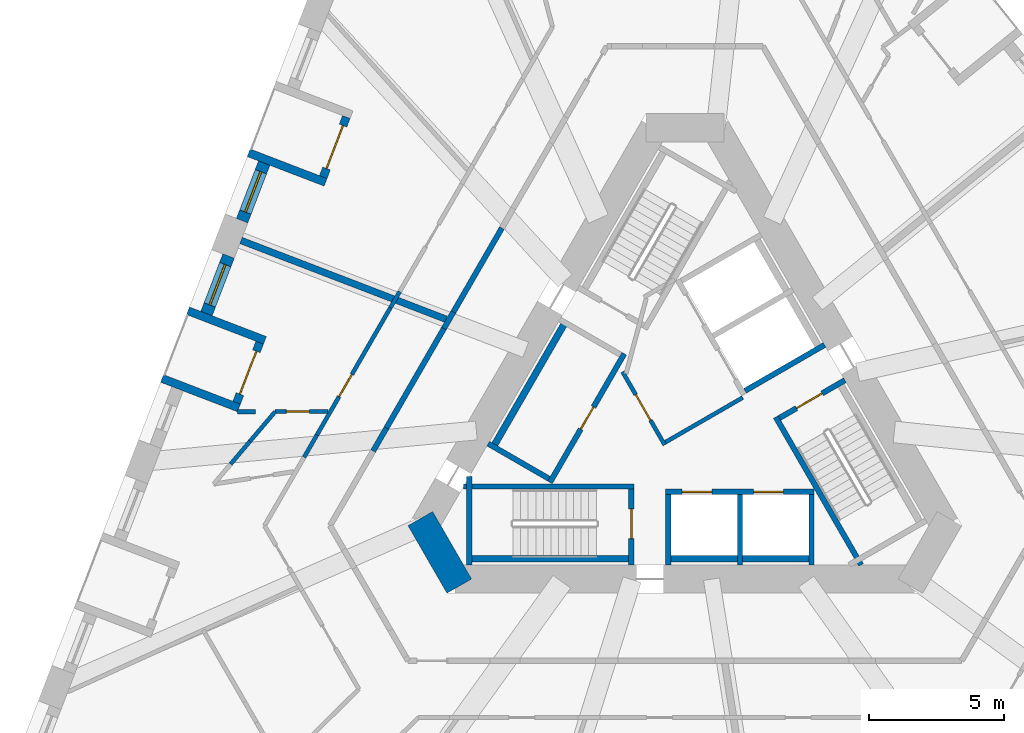
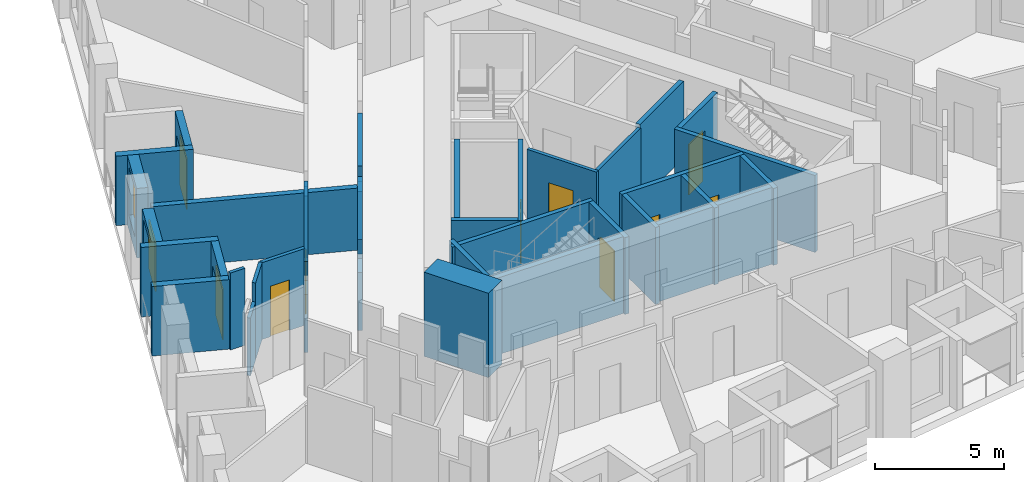
# One storey, part 4 of 13: 37 walls, 10 doors, 2 windows, 12 openings.
"""IFC4 building model written with IfcOpenShell, lengths in metres."""

import ifcopenshell
import ifcopenshell.guid

model = None  # the IFC model being written
_history = None  # IfcOwnerHistory: only IFC2X3 demands one
_inside = {}  # id of a spatial element -> (the spatial element, [elements in it])
_under = {}  # id of a project, library or spatial element -> (it, [spatial elements below it])
_declared = {}  # id of a project -> (the project, [libraries it declares])
_typed = {}  # id of a type object -> (the type object, [elements of that type])
_made_of = {}  # id of a material, layer set ... -> (it, [elements and type objects made of it])


def new_model(schema):
    """Start an empty IFC model of exactly this schema.

    Asked for "IFC4X3", IfcOpenShell would pick the latest addendum, in which some entities
    have other attributes; the version numbers below select the first issue.
    IFC2X3 requires an IfcOwnerHistory on every rooted entity: one is made here for all.
    """
    global model, _history
    if schema == "IFC4X3":
        model = ifcopenshell.file(schema_version=(4, 3, 0, 0))
    else:
        model = ifcopenshell.file(schema=schema)
    _inside.clear()
    _under.clear()
    _declared.clear()
    _typed.clear()
    _made_of.clear()
    _history = None
    if model.schema == "IFC2X3":
        org = make("IfcOrganization", Name="unknown")
        user = make(
            "IfcPersonAndOrganization",
            ThePerson=make("IfcPerson", FamilyName="unknown"),
            TheOrganization=org,
        )
        app = make(
            "IfcApplication",
            ApplicationDeveloper=org,
            Version="unknown",
            ApplicationFullName="unknown",
            ApplicationIdentifier="unknown",
        )
        _history = make(
            "IfcOwnerHistory",
            OwningUser=user,
            OwningApplication=app,
            ChangeAction="ADDED",
            CreationDate=0,
        )
    return model


def make(cls, **values):
    """One entity of the class cls with the attributes given. An attribute that is None is left unset."""
    return model.create_entity(
        cls, **{name: value for name, value in values.items() if value is not None}
    )


def rooted(cls, **values):
    """An entity with a GlobalId (a new one), such as an element, a storey or a relation."""
    return make(cls, GlobalId=ifcopenshell.guid.new(), OwnerHistory=_history, **values)


def si_unit(unit_type, name, prefix=None):
    """IfcSIUnit, for example si_unit("LENGTHUNIT", "METRE", prefix="MILLI")."""
    return make("IfcSIUnit", UnitType=unit_type, Prefix=prefix, Name=name)


def assignment(units):
    """IfcUnitAssignment: the units of a project."""
    return None if units is None else make("IfcUnitAssignment", Units=units)


def point(xyz):
    """IfcCartesianPoint."""
    return None if xyz is None else make("IfcCartesianPoint", Coordinates=xyz)


def direction(xyz):
    """IfcDirection."""
    return None if xyz is None else make("IfcDirection", DirectionRatios=xyz)


def frame(location, z_axis=None, x_axis=None):
    """IfcAxis2Placement3D, a coordinate frame: its origin and axes. An axis left out is left unset."""
    return make(
        "IfcAxis2Placement3D",
        Location=point(location),
        Axis=direction(z_axis),
        RefDirection=direction(x_axis),
    )


def frame_2d(location, x_axis=None):
    """IfcAxis2Placement2D, a coordinate frame in the plane: its origin and x axis."""
    return make(
        "IfcAxis2Placement2D", Location=point(location), RefDirection=direction(x_axis)
    )


def origin():
    """The frame at (0, 0, 0) with its axes left unset."""
    return frame((0.0, 0.0, 0.0))


def place(relative_to, where):
    """IfcLocalPlacement: puts the frame where relative to a parent placement (None: the world)."""
    return make(
        "IfcLocalPlacement", PlacementRelTo=relative_to, RelativePlacement=where
    )


def context(
    kind, dimensions, precision=None, world=None, true_north=None, identifier=None
):
    """IfcGeometricRepresentationContext, for example the 3D "Model" context."""
    return make(
        "IfcGeometricRepresentationContext",
        ContextIdentifier=identifier,
        ContextType=kind,
        CoordinateSpaceDimension=dimensions,
        Precision=precision,
        WorldCoordinateSystem=world,
        TrueNorth=true_north,
    )


def subcontext(parent, identifier, kind, view, scale=None):
    """IfcGeometricRepresentationSubContext, for example "Body" below "Model"."""
    return make(
        "IfcGeometricRepresentationSubContext",
        ContextIdentifier=identifier,
        ContextType=kind,
        ParentContext=parent,
        TargetScale=scale,
        TargetView=view,
    )


def project(units=None, contexts=None):
    """IfcProject with its units and contexts."""
    return rooted(
        "IfcProject",
        Name="project",
        RepresentationContexts=contexts,
        UnitsInContext=assignment(units),
    )


def spatial(cls, under=None, at=None, **own):
    """A site, building, storey or space (cls), placed at a placement, below another one or the project."""
    s = rooted(cls, ObjectPlacement=at, **own)
    if under is not None:
        _under.setdefault(under.id(), (under, []))[1].append(s)
    return s


def profile(cls, at=None, kind="AREA", **sizes):
    """A parametric profile (cls). Its sizes go by their IFC names, for example OverallWidth=200.0."""
    return make(cls, ProfileType=kind, Position=at, **sizes)


def rectangle(**sizes):
    """IfcRectangleProfileDef."""
    return profile("IfcRectangleProfileDef", **sizes)


def extrude(swept, where, along, depth):
    """IfcExtrudedAreaSolid: the profile swept, set in the frame where, extruded along a direction by depth."""
    return make(
        "IfcExtrudedAreaSolid",
        SweptArea=swept,
        Position=where,
        ExtrudedDirection=direction(along),
        Depth=depth,
    )


def shape(context_of_items, identifier, shape_type, items):
    """IfcShapeRepresentation: the items that make up one representation, for example the "Body"."""
    return make(
        "IfcShapeRepresentation",
        ContextOfItems=context_of_items,
        RepresentationIdentifier=identifier,
        RepresentationType=shape_type,
        Items=items,
    )


def material(Name=None, Category=None):
    """IfcMaterial."""
    return make("IfcMaterial", Name=Name, Category=Category)


def layer(
    of_material, thickness, ventilated=None, Name=None, Category=None, Priority=None
):
    """IfcMaterialLayer: one layer of a wall or slab, of a material (None: an air gap)."""
    return make(
        "IfcMaterialLayer",
        Material=of_material,
        LayerThickness=thickness,
        IsVentilated=ventilated,
        Name=Name,
        Category=Category,
        Priority=Priority,
    )


def layer_set(layers, Name=None):
    """IfcMaterialLayerSet."""
    return make("IfcMaterialLayerSet", MaterialLayers=layers, LayerSetName=Name)


def made_of(thing, what):
    """Note that an element or type object is made of a material, layer set ...; save() writes the relation."""
    if what is not None:
        _made_of.setdefault(what.id(), (what, []))[1].append(thing)
    return thing


def type_object(cls, material=None, **own):
    """A type object (cls), such as IfcWallType, which elements share."""
    return made_of(rooted(cls, **own), material)


def element(
    cls,
    number,
    at=None,
    inside=None,
    cuts=None,
    type_object=None,
    material=None,
    context=None,
    identifier="Body",
    shape_type=None,
    held_by="IfcProductDefinitionShape",
    body=None,
    shapes=None,
    **own,
):
    """One element of the class cls, such as IfcWall. Its Tag is "e" and its number.

    at: its placement. inside: the storey or other place that contains it. cuts: it is an
    opening in that element (IfcRelVoidsElement). A single representation is given by context,
    identifier, shape_type and body (its items); several are given by shapes. held_by: the class
    of the entity that holds the representations. save() writes the other relations.
    """
    e = rooted(cls, Tag="e%d" % number, ObjectPlacement=at, **own)
    if body is not None:
        shapes = [shape(context, identifier, shape_type, body)]
    if shapes is not None:
        e.Representation = make(held_by, Representations=shapes)
    if inside is not None:
        _inside.setdefault(inside.id(), (inside, []))[1].append(e)
    if cuts is not None:
        rooted(
            "IfcRelVoidsElement", RelatingBuildingElement=cuts, RelatedOpeningElement=e
        )
    if type_object is not None:
        _typed.setdefault(type_object.id(), (type_object, []))[1].append(e)
    return made_of(e, material)


def fill(opening, filler):
    """IfcRelFillsElement: the door or window that sits in an opening."""
    return rooted(
        "IfcRelFillsElement",
        RelatingOpeningElement=opening,
        RelatedBuildingElement=filler,
    )


def aggregate(whole, parts):
    """IfcRelAggregates: a whole, such as a stair, and the parts it consists of."""
    return rooted("IfcRelAggregates", RelatingObject=whole, RelatedObjects=parts)


def save(model, path):
    """Write the relations noted so far, then the file.

    IfcRelAggregates (storeys below a building ...), IfcRelContainedInSpatialStructure (elements
    in a storey), IfcRelDefinesByType, IfcRelAssociatesMaterial and IfcRelDeclares: one each for
    every whole, place, type object, material and project.
    """
    for whole, parts in _under.values():
        aggregate(whole, parts)
    for where, things in _inside.values():
        rooted(
            "IfcRelContainedInSpatialStructure",
            RelatedElements=things,
            RelatingStructure=where,
        )
    for kind, things in _typed.values():
        rooted("IfcRelDefinesByType", RelatedObjects=things, RelatingType=kind)
    for what, things in _made_of.values():
        rooted("IfcRelAssociatesMaterial", RelatedObjects=things, RelatingMaterial=what)
    for by, libraries in _declared.values():
        rooted("IfcRelDeclares", RelatingContext=by, RelatedDefinitions=libraries)
    model.write(path)


model = new_model("IFC4")

# Units and contexts
model_context = context("Model", 3, precision=1e-05, world=origin(), true_north=direction((0.0, 1.0)))
body_context = subcontext(model_context, "Body", "Model", "MODEL_VIEW")
ifc_project = project(units=[si_unit("LENGTHUNIT", "METRE"), si_unit("AREAUNIT", "SQUARE_METRE"), si_unit("VOLUMEUNIT", "CUBIC_METRE"), si_unit("PLANEANGLEUNIT", "RADIAN"), si_unit("MASSUNIT", "GRAM", prefix="KILO")], contexts=[model_context])

# Site, building, storey
site_placement = place(None, origin())
site = spatial("IfcSite", under=ifc_project, at=site_placement, CompositionType="ELEMENT")
building_placement = place(site_placement, origin())
building = spatial("IfcBuilding", under=site, at=building_placement, Name="Tramontana Tower", CompositionType="ELEMENT")
storey_placement = place(building_placement, frame((0.0, 0.0, 51.199951171875)))
storey = spatial("IfcBuildingStorey", under=building, at=storey_placement, Name="L10", CompositionType="ELEMENT", Elevation=51.199951171875)

# Walls
ifc_material_1 = material(Name="Concrete 70 MPa", Category="concrete")
ifc_layer_1 = layer(ifc_material_1, 1.050048828125)
ifc_layer_set_1 = layer_set([ifc_layer_1], Name="Core wall 1050 70 MPa")
wall_type_1 = type_object("IfcWallType", Name="Core wall 1050 70 MPa", PredefinedType="SHEAR", material=ifc_layer_set_1)
wall_1_placement = place(storey_placement, frame((-9.793212890625, -3.987548828125, 0.0), z_axis=(0.0, 0.0, 1.0), x_axis=(0.499995765644, -0.866027848477, 0.0)))
element("IfcWall", 1, at=wall_1_placement, inside=storey, type_object=wall_type_1, Name="Core wall C2 L10", PredefinedType="SHEAR", context=body_context, shape_type="SweptSolid", body=[
    extrude(rectangle(XDim=2.88671875, YDim=1.050048828125, at=frame_2d((1.443359375, 0.0))), origin(), (0.0, 0.0, 1.0), 4.0),
])
ifc_material_2 = material(Name="Blockwork", Category="masonry")
ifc_layer_2 = layer(ifc_material_2, 0.199951171875)
ifc_layer_set_2 = layer_set([ifc_layer_2], Name="ENTRY WALL 200")
wall_type_2 = type_object("IfcWallType", Name="ENTRY WALL 200", PredefinedType="SOLIDWALL", material=ifc_layer_set_2)
wall_2_placement = place(storey_placement, frame((-11.539306640625, -1.48681640625, 0.0), z_axis=(0.0, 0.0, 1.0), x_axis=(0.499966601515, 0.86604468555, 0.0)))
element("IfcWall", 2, at=wall_2_placement, inside=storey, type_object=wall_type_2, Name="Wall v10-ew4-1", PredefinedType="SOLIDWALL", context=body_context, shape_type="SweptSolid", body=[
    extrude(rectangle(XDim=0.98095703125, YDim=0.199951171875, at=frame_2d((0.490478515625, 0.0))), origin(), (0.0, 0.0, 1.0), 2.75),
])
wall_3_placement = place(storey_placement, frame((-11.048828125, -0.63720703125, 0.0), z_axis=(0.0, 0.0, 1.0), x_axis=(0.500000470374, 0.866025132214, 0.0)))
element("IfcWall", 3, at=wall_3_placement, inside=storey, type_object=wall_type_2, Name="Wall v10-ew4-2", PredefinedType="SOLIDWALL", context=body_context, shape_type="SweptSolid", body=[
    extrude(rectangle(XDim=4.2568359375, YDim=0.199951171875, at=frame_2d((2.12841796875, 0.0))), origin(), (0.0, 0.0, 1.0), 3.650146484375),
])
wall_4_placement = place(storey_placement, frame((-8.92041015625, 3.04931640625, 0.0), z_axis=(0.0, 0.0, 1.0), x_axis=(0.499881507708, 0.866093804534, 0.0)))
element("IfcWall", 4, at=wall_4_placement, inside=storey, type_object=wall_type_2, Name="Wall v10-ew4-3", PredefinedType="SOLIDWALL", context=body_context, shape_type="SweptSolid", body=[
    extrude(rectangle(XDim=0.708740234375, YDim=0.199951171875, at=frame_2d((0.3544921875, 0.0))), origin(), (0.0, 0.0, 1.0), 2.949951171875),
])
wall_5_placement = place(storey_placement, frame((-8.566162109375, 3.6630859375, 0.0), z_axis=(0.0, 0.0, 1.0), x_axis=(0.500013241293, 0.866017758786, 0.0)))
element("IfcWall", 5, at=wall_5_placement, inside=storey, type_object=wall_type_2, Name="Wall v10-ew4-4", PredefinedType="SOLIDWALL", context=body_context, shape_type="SweptSolid", body=[
    extrude(rectangle(XDim=3.58544921875, YDim=0.199951171875, at=frame_2d((1.792724609375, 0.0))), origin(), (0.0, 0.0, 1.0), 3.650146484375),
])

# Wall, opening, window
ifc_material_3 = material(Name="Precast concrete 60 MPa", Category="concrete")
ifc_layer_3 = layer(ifc_material_3, 0.449951171875)
ifc_layer_set_3 = layer_set([ifc_layer_3], Name="Precast concrete 60 MPa, 450 mm")
wall_type_3 = type_object("IfcWallType", Name="EW1 Stone-faced precast wall 450", PredefinedType="SOLIDWALL", material=ifc_layer_set_3)
wall_6_placement = place(storey_placement, frame((-15.572021484375, 9.1728515625, 0.0), z_axis=(0.0, 0.0, 1.0), x_axis=(-0.358355550725, -0.933585185864, 0.0)))
wall_6 = element("IfcWall", 6, at=wall_6_placement, inside=storey, type_object=wall_type_3, Name="External wall L10 face 0 bay 3", PredefinedType="SOLIDWALL", context=body_context, shape_type="SweptSolid", body=[
    extrude(rectangle(XDim=2.282958984375, YDim=0.449951171875, at=frame_2d((1.1416015625, 0.0))), origin(), (0.0, 0.0, 1.0), 3.300048828125),
])
opening_1_placement = place(wall_6_placement, frame((0.341552734375, 0.0, 0.699951171875)))
opening_1 = element("IfcOpeningElement", 7, at=opening_1_placement, cuts=wall_6, Name="Opening M1", PredefinedType="OPENING", context=body_context, shape_type="SweptSolid", body=[
    extrude(rectangle(XDim=1.60009765625, YDim=2.300048828125, at=frame_2d((0.800048828125, 1.14990234375))), frame((0.0, 0.23486328125, 0.0), z_axis=(0.0, -1.0, 0.0), x_axis=(1.0, 0.0, 0.0)), (0.0, 0.0, 1.0), 0.469970703125),
])
ifc_material_4 = material(Name="Aluminum frame, double glazing unit", Category="aluminium")
window_type = type_object("IfcWindowType", Name="M1 Window 1.6 x 2.3", PartitioningType="SINGLE_PANEL", PredefinedType="WINDOW", material=ifc_material_4)
window_1_placement = place(opening_1_placement, origin())
window_1 = element("IfcWindow", 8, at=window_1_placement, inside=storey, type_object=window_type, Name="Window M1 L10 face 0 module 9", OverallHeight=2.300048828125, OverallWidth=1.60009765625, PartitioningType="SINGLE_PANEL", PredefinedType="WINDOW", context=body_context, shape_type="SweptSolid", body=[
    extrude(rectangle(XDim=1.60009765625, YDim=2.300048828125, at=frame_2d((0.800048828125, 1.14990234375))), frame((0.0, 0.030029296875, 0.0), z_axis=(0.0, -1.0, 0.0), x_axis=(1.0, 0.0, 0.0)), (0.0, 0.0, 1.0), 0.06005859375),
])
fill(opening_1, window_1)

wall_7_placement = place(storey_placement, frame((-16.891845703125, 5.734375, 0.0), z_axis=(0.0, 0.0, 1.0), x_axis=(-0.358355550725, -0.933585185864, 0.0)))
wall_7 = element("IfcWall", 9, at=wall_7_placement, inside=storey, type_object=wall_type_3, Name="External wall L10 face 0 bay 4", PredefinedType="SOLIDWALL", context=body_context, shape_type="SweptSolid", body=[
    extrude(rectangle(XDim=2.282958984375, YDim=0.449951171875, at=frame_2d((1.1416015625, 0.0))), origin(), (0.0, 0.0, 1.0), 3.300048828125),
])
opening_2_placement = place(wall_7_placement, frame((0.341552734375, 0.0, 0.699951171875)))
opening_2 = element("IfcOpeningElement", 10, at=opening_2_placement, cuts=wall_7, Name="Opening M1", PredefinedType="OPENING", context=body_context, shape_type="SweptSolid", body=[
    extrude(rectangle(XDim=1.60009765625, YDim=2.300048828125, at=frame_2d((0.800048828125, 1.14990234375))), frame((0.0, 0.23486328125, 0.0), z_axis=(0.0, -1.0, 0.0), x_axis=(1.0, 0.0, 0.0)), (0.0, 0.0, 1.0), 0.469970703125),
])
window_2_placement = place(opening_2_placement, origin())
window_2 = element("IfcWindow", 11, at=window_2_placement, inside=storey, type_object=window_type, Name="Window M1 L10 face 0 module 10", OverallHeight=2.300048828125, OverallWidth=1.60009765625, PartitioningType="SINGLE_PANEL", PredefinedType="WINDOW", context=body_context, shape_type="SweptSolid", body=[
    extrude(rectangle(XDim=1.60009765625, YDim=2.300048828125, at=frame_2d((0.800048828125, 1.14990234375))), frame((0.0, 0.030029296875, 0.0), z_axis=(0.0, -1.0, 0.0), x_axis=(1.0, 0.0, 0.0)), (0.0, 0.0, 1.0), 0.06005859375),
])
fill(opening_2, window_2)

# Wall, opening, door
ifc_material_5 = material(Name="Precast concrete 60 MPa", Category="concrete")
ifc_layer_4 = layer(ifc_material_5, 0.300048828125)
ifc_layer_set_4 = layer_set([ifc_layer_4], Name="LW1 Stone-faced loggia wall 300")
wall_type_4 = type_object("IfcWallType", Name="LW1 Stone-faced loggia wall 300", PredefinedType="SOLIDWALL", material=ifc_layer_set_4)
wall_8_placement = place(storey_placement, frame((-12.533447265625, 10.880126953125, 0.0), z_axis=(0.0, 0.0, 1.0), x_axis=(-0.35838856932, -0.933572511046, 0.0)))
wall_8 = element("IfcWall", 12, at=wall_8_placement, inside=storey, type_object=wall_type_4, Name="Loggia wall L10 G1S0.7", PredefinedType="SOLIDWALL", context=body_context, shape_type="SweptSolid", body=[
    extrude(rectangle(XDim=2.3828125, YDim=0.300048828125, at=frame_2d((1.19140625, 0.0))), origin(), (0.0, 0.0, 1.0), 3.300048828125),
])
opening_3_placement = place(wall_8_placement, frame((0.341552734375, 0.0, 0.0)))
opening_3 = element("IfcOpeningElement", 13, at=opening_3_placement, cuts=wall_8, Name="Opening BD-1S0-07", PredefinedType="OPENING", context=body_context, shape_type="SweptSolid", body=[
    extrude(rectangle(XDim=1.699951171875, YDim=2.39990234375, at=frame_2d((0.85009765625, 1.199951171875))), frame((0.0, 0.159912109375, 0.0), z_axis=(0.0, -1.0, 0.0), x_axis=(1.0, 0.0, 0.0)), (0.0, 0.0, 1.0), 0.320068359375),
])
ifc_material_6 = material(Name="Aluminum frame, double glazing unit", Category="aluminium")
door_type_1 = type_object("IfcDoorType", Name="BD1 Sliding door 1.7 x 2.4", OperationType="SLIDING_TO_LEFT", PredefinedType="DOOR", material=ifc_material_6)
door_1_placement = place(opening_3_placement, origin())
door_1 = element("IfcDoor", 14, at=door_1_placement, inside=storey, type_object=door_type_1, Name="Loggia door L10 G1S0.7", OperationType="SLIDING_TO_LEFT", OverallHeight=2.39990234375, OverallWidth=1.699951171875, PredefinedType="DOOR", context=body_context, shape_type="SweptSolid", body=[
    extrude(rectangle(XDim=1.699951171875, YDim=2.39990234375, at=frame_2d((0.85009765625, 1.199951171875))), frame((0.0, 0.02490234375, 0.0), z_axis=(0.0, -1.0, 0.0), x_axis=(1.0, 0.0, 0.0)), (0.0, 0.0, 1.0), 0.050048828125),
])
fill(opening_3, door_1)

# Wall
wall_9_placement = place(storey_placement, frame((-16.1484375, 9.5546875, 0.0), z_axis=(0.0, 0.0, 1.0), x_axis=(0.933580593625, -0.358367514161, 0.0)))
element("IfcWall", 15, at=wall_9_placement, inside=storey, type_object=wall_type_4, Name="Loggia return L10 G1S0.7b", PredefinedType="SOLIDWALL", context=body_context, shape_type="SweptSolid", body=[
    extrude(rectangle(XDim=3.050048828125, YDim=0.300048828125, at=frame_2d((1.52490234375, 0.0))), origin(), (0.0, 0.0, 1.0), 3.300048828125),
])

# Wall, opening, door
wall_10_placement = place(storey_placement, frame((-15.740478515625, 2.525634765625, 0.0), z_axis=(0.0, 0.0, 1.0), x_axis=(-0.35829926872, -0.933606787697, 0.0)))
wall_10 = element("IfcWall", 16, at=wall_10_placement, inside=storey, type_object=wall_type_4, Name="Loggia wall L10 G1S0.10", PredefinedType="SOLIDWALL", context=body_context, shape_type="SweptSolid", body=[
    extrude(rectangle(XDim=2.3828125, YDim=0.300048828125, at=frame_2d((1.19140625, 0.0))), origin(), (0.0, 0.0, 1.0), 3.300048828125),
])
opening_4_placement = place(wall_10_placement, frame((0.341552734375, 0.0, 0.0)))
opening_4 = element("IfcOpeningElement", 17, at=opening_4_placement, cuts=wall_10, Name="Opening BD-1S0-10", PredefinedType="OPENING", context=body_context, shape_type="SweptSolid", body=[
    extrude(rectangle(XDim=1.699951171875, YDim=2.39990234375, at=frame_2d((0.85009765625, 1.199951171875))), frame((0.0, 0.159912109375, 0.0), z_axis=(0.0, -1.0, 0.0), x_axis=(1.0, 0.0, 0.0)), (0.0, 0.0, 1.0), 0.320068359375),
])
door_2_placement = place(opening_4_placement, origin())
door_2 = element("IfcDoor", 18, at=door_2_placement, inside=storey, type_object=door_type_1, Name="Loggia door L10 G1S0.10", OperationType="SLIDING_TO_LEFT", OverallHeight=2.39990234375, OverallWidth=1.699951171875, PredefinedType="DOOR", context=body_context, shape_type="SweptSolid", body=[
    extrude(rectangle(XDim=1.699951171875, YDim=2.39990234375, at=frame_2d((0.85009765625, 1.199951171875))), frame((0.0, 0.02490234375, 0.0), z_axis=(0.0, -1.0, 0.0), x_axis=(1.0, 0.0, 0.0)), (0.0, 0.0, 1.0), 0.050048828125),
])
fill(opening_4, door_2)

# Walls
for number, where, z_axis, x_axis, name in (
    (19, (-18.39404296875, 3.704833984375, 0.0), (0.0, 0.0, 1.0), (0.933580593625, -0.358367514161, 0.0), "Loggia return L10 G1S0.10a"),
    (20, (-19.35546875, 1.2001953125, 0.0), (0.0, 0.0, 1.0), (0.933580593625, -0.358367514161, 0.0), "Loggia return L10 G1S0.10b"),
):
    element("IfcWall", number, at=place(storey_placement, frame(where, z_axis=z_axis, x_axis=x_axis)), inside=storey, type_object=wall_type_4, Name=name, PredefinedType="SOLIDWALL", context=body_context, shape_type="SweptSolid", body=[
        extrude(rectangle(XDim=3.050048828125, YDim=0.300048828125, at=frame_2d((1.52490234375, 0.0))), origin(), (0.0, 0.0, 1.0), 3.300048828125),
    ])

# Wall, opening, door
ifc_material_7 = material(Name="Gypsum board partition")
ifc_layer_5 = layer(ifc_material_7, 0.14990234375)
ifc_layer_set_5 = layer_set([ifc_layer_5], Name="PARTITION 150")
wall_type_5 = type_object("IfcWallType", Name="PARTITION 150", PredefinedType="PARTITIONING", material=ifc_layer_set_5)
wall_11_placement = place(storey_placement, frame((-0.744140625, -1.260986328125, 0.0), z_axis=(0.0, 0.0, 1.0), x_axis=(-0.500004234368, 0.866022959057, 0.0)))
wall_11 = element("IfcWall", 21, at=wall_11_placement, inside=storey, type_object=wall_type_5, Name="Wall ff-front", PredefinedType="PARTITIONING", context=body_context, shape_type="SweptSolid", body=[
    extrude(rectangle(XDim=3.125, YDim=0.14990234375, at=frame_2d((1.5625, 0.0))), origin(), (0.0, 0.0, 1.0), 3.650146484375),
])
opening_5_placement = place(wall_11_placement, frame((1.050048828125, 0.0, 0.0)))
opening_5 = element("IfcOpeningElement", 22, at=opening_5_placement, cuts=wall_11, Name="Opening FD1", PredefinedType="OPENING", context=body_context, shape_type="SweptSolid", body=[
    extrude(rectangle(XDim=1.10009765625, YDim=2.39990234375, at=frame_2d((0.550048828125, 1.199951171875))), frame((0.0, 0.0849609375, 0.0), z_axis=(0.0, -1.0, 0.0), x_axis=(1.0, 0.0, 0.0)), (0.0, 0.0, 1.0), 0.169921875),
])
ifc_material_8 = material(Name="Painted timber", Category="wood")
door_type_2 = type_object("IfcDoorType", Name="DOOR ENTRY 1100", OperationType="SINGLE_SWING_LEFT", PredefinedType="DOOR", material=ifc_material_8)
door_3_placement = place(opening_5_placement, origin())
door_3 = element("IfcDoor", 23, at=door_3_placement, inside=storey, type_object=door_type_2, Name="Door FD1", OperationType="SINGLE_SWING_RIGHT", OverallHeight=2.39990234375, OverallWidth=1.10009765625, PredefinedType="DOOR", context=body_context, shape_type="SweptSolid", body=[
    extrude(rectangle(XDim=1.10009765625, YDim=2.39990234375, at=frame_2d((0.550048828125, 1.199951171875))), frame((0.0, 0.02490234375, 0.0), z_axis=(0.0, -1.0, 0.0), x_axis=(1.0, 0.0, 0.0)), (0.0, 0.0, 1.0), 0.050048828125),
])
fill(opening_5, door_3)

# Walls
wall_12_placement = place(storey_placement, frame((-0.716796875, -1.15869140625, 0.0), z_axis=(0.0, 0.0, 1.0), x_axis=(0.866008176907, 0.50002983664, 0.0)))
element("IfcWall", 24, at=wall_12_placement, inside=storey, type_object=wall_type_5, Name="Wall ff-end0", PredefinedType="PARTITIONING", context=body_context, shape_type="SweptSolid", body=[
    extrude(rectangle(XDim=3.300048828125, YDim=0.14990234375, at=frame_2d((1.64990234375, 0.0))), origin(), (0.0, 0.0, 1.0), 3.650146484375),
])
wall_13_placement = place(storey_placement, frame((-16.8154296875, -1.97021484375, 0.0), z_axis=(0.0, 0.0, 1.0), x_axis=(0.647233233989, 0.762292031193, 0.0)))
element("IfcWall", 25, at=wall_13_placement, inside=storey, type_object=wall_type_5, Name="Wall v10-pw01-1", PredefinedType="PARTITIONING", context=body_context, shape_type="SweptSolid", body=[
    extrude(rectangle(XDim=1.10986328125, YDim=0.14990234375, at=frame_2d((0.554931640625, 0.0))), origin(), (0.0, 0.0, 1.0), 2.75),
])
wall_14_placement = place(storey_placement, frame((-16.09716796875, -1.124267578125, 0.0), z_axis=(0.0, 0.0, 1.0), x_axis=(0.647268122874, 0.762262406991, 0.0)))
element("IfcWall", 26, at=wall_14_placement, inside=storey, type_object=wall_type_5, Name="Wall v10-pw01-2", PredefinedType="PARTITIONING", context=body_context, shape_type="SweptSolid", body=[
    extrude(rectangle(XDim=1.435302734375, YDim=0.14990234375, at=frame_2d((0.7177734375, 0.0))), origin(), (0.0, 0.0, 1.0), 3.650146484375),
])
wall_15_placement = place(storey_placement, frame((-16.561767578125, -0.032958984375, 0.0), z_axis=(0.0, 0.0, 1.0), x_axis=(0.999997583071, 0.002198602235, 0.0)))
element("IfcWall", 27, at=wall_15_placement, inside=storey, type_object=wall_type_5, Name="Wall v10-pw03", PredefinedType="PARTITIONING", context=body_context, shape_type="SweptSolid", body=[
    extrude(rectangle(XDim=0.666259765625, YDim=0.14990234375, at=frame_2d((0.3330078125, 0.0))), origin(), (0.0, 0.0, 1.0), 3.650146484375),
])

# Wall, opening, door
wall_16_placement = place(storey_placement, frame((-13.207763671875, -0.0263671875, 0.0), z_axis=(0.0, 0.0, 1.0), x_axis=(-0.999998014427, -0.00199277223, 0.0)))
wall_16 = element("IfcWall", 28, at=wall_16_placement, inside=storey, type_object=wall_type_5, Name="Wall v10-pw04", PredefinedType="PARTITIONING", context=body_context, shape_type="SweptSolid", body=[
    extrude(rectangle(XDim=1.960205078125, YDim=0.14990234375, at=frame_2d((0.97998046875, 0.0))), origin(), (0.0, 0.0, 1.0), 3.650146484375),
])
opening_6_placement = place(wall_16_placement, frame((0.6904296875, 0.0, 0.0)))
opening_6 = element("IfcOpeningElement", 29, at=opening_6_placement, cuts=wall_16, Name="Opening B1A-18", PredefinedType="OPENING", context=body_context, shape_type="SweptSolid", body=[
    extrude(rectangle(XDim=0.85009765625, YDim=2.39990234375, at=frame_2d((0.425048828125, 1.199951171875))), frame((0.0, 0.0849609375, 0.0), z_axis=(0.0, -1.0, 0.0), x_axis=(1.0, 0.0, 0.0)), (0.0, 0.0, 1.0), 0.169921875),
])
ifc_material_9 = material(Name="Painted timber", Category="wood")
door_type_3 = type_object("IfcDoorType", Name="DOOR BATH 850", OperationType="SINGLE_SWING_LEFT", PredefinedType="DOOR", material=ifc_material_9)
door_4_placement = place(opening_6_placement, origin())
door_4 = element("IfcDoor", 30, at=door_4_placement, inside=storey, type_object=door_type_3, Name="Door B1A-18", OperationType="SINGLE_SWING_RIGHT", OverallHeight=2.39990234375, OverallWidth=0.85009765625, PredefinedType="DOOR", context=body_context, shape_type="SweptSolid", body=[
    extrude(rectangle(XDim=0.85009765625, YDim=2.39990234375, at=frame_2d((0.425048828125, 1.199951171875))), frame((0.0, 0.02490234375, 0.0), z_axis=(0.0, -1.0, 0.0), x_axis=(1.0, 0.0, 0.0)), (0.0, 0.0, 1.0), 0.050048828125),
])
fill(opening_6, door_4)

# Wall
wall_17_placement = place(storey_placement, frame((-10.557373046875, 4.4140625, 0.0), z_axis=(0.0, 0.0, 1.0), x_axis=(-0.500134748329, -0.865947592822, 0.0)))
element("IfcWall", 31, at=wall_17_placement, inside=storey, type_object=wall_type_5, Name="Wall v10-pw16-5", PredefinedType="PARTITIONING", context=body_context, shape_type="SweptSolid", body=[
    extrude(rectangle(XDim=0.683349609375, YDim=0.14990234375, at=frame_2d((0.341796875, 0.0))), origin(), (0.0, 0.0, 1.0), 2.949951171875),
])

# Wall, opening, door
wall_18_placement = place(storey_placement, frame((-13.62060546875, -0.8916015625, 0.0), z_axis=(0.0, 0.0, 1.0), x_axis=(0.499983886315, 0.866034706825, 0.0)))
wall_18 = element("IfcWall", 32, at=wall_18_placement, inside=storey, type_object=wall_type_5, Name="Wall v10-pw16-6", PredefinedType="PARTITIONING", context=body_context, shape_type="SweptSolid", body=[
    extrude(rectangle(XDim=5.443115234375, YDim=0.14990234375, at=frame_2d((2.7216796875, 0.0))), origin(), (0.0, 0.0, 1.0), 3.650146484375),
])
opening_7_placement = place(wall_18_placement, frame((1.639404296875, 0.0, 0.0)))
opening_7 = element("IfcOpeningElement", 33, at=opening_7_placement, cuts=wall_18, Name="Opening B1A-14", PredefinedType="OPENING", context=body_context, shape_type="SweptSolid", body=[
    extrude(rectangle(XDim=0.949951171875, YDim=2.39990234375, at=frame_2d((0.47509765625, 1.199951171875))), frame((0.0, 0.0849609375, 0.0), z_axis=(0.0, -1.0, 0.0), x_axis=(1.0, 0.0, 0.0)), (0.0, 0.0, 1.0), 0.169921875),
])
ifc_material_10 = material(Name="Painted timber", Category="wood")
door_type_4 = type_object("IfcDoorType", Name="DOOR ROOM 950", OperationType="SINGLE_SWING_LEFT", PredefinedType="DOOR", material=ifc_material_10)
door_5_placement = place(opening_7_placement, origin())
door_5 = element("IfcDoor", 34, at=door_5_placement, inside=storey, type_object=door_type_4, Name="Door B1A-14", OperationType="SINGLE_SWING_RIGHT", OverallHeight=2.39990234375, OverallWidth=0.949951171875, PredefinedType="DOOR", context=body_context, shape_type="SweptSolid", body=[
    extrude(rectangle(XDim=0.949951171875, YDim=2.39990234375, at=frame_2d((0.47509765625, 1.199951171875))), frame((0.0, 0.02490234375, 0.0), z_axis=(0.0, -1.0, 0.0), x_axis=(1.0, 0.0, 0.0)), (0.0, 0.0, 1.0), 0.050048828125),
])
fill(opening_7, door_5)

# Walls
wall_19_placement = place(storey_placement, frame((-13.62060546875, -0.8916015625, 0.0), z_axis=(0.0, 0.0, 1.0), x_axis=(-0.499952260202, -0.866052964615, 0.0)))
element("IfcWall", 35, at=wall_19_placement, inside=storey, type_object=wall_type_5, Name="Wall v10-pw16-7", PredefinedType="PARTITIONING", context=body_context, shape_type="SweptSolid", body=[
    extrude(rectangle(XDim=0.9501953125, YDim=0.14990234375, at=frame_2d((0.47509765625, 0.0))), origin(), (0.0, 0.0, 1.0), 2.75),
])
ifc_material_11 = material(Name="Blockwork", Category="masonry")
ifc_layer_6 = layer(ifc_material_11, 0.25)
ifc_layer_set_6 = layer_set([ifc_layer_6], Name="PARTY WALL 250")
wall_type_6 = type_object("IfcWallType", Name="PARTY WALL 250", PredefinedType="SOLIDWALL", material=ifc_layer_set_6)
wall_20_placement = place(storey_placement, frame((-8.837890625, 3.392578125, 0.0), z_axis=(0.0, 0.0, 1.0), x_axis=(-0.933575960916, 0.358379582566, 0.0)))
element("IfcWall", 36, at=wall_20_placement, inside=storey, type_object=wall_type_6, Name="Wall v10-pw10-0", PredefinedType="SOLIDWALL", context=body_context, shape_type="SweptSolid", body=[
    extrude(rectangle(XDim=8.13330078125, YDim=0.25, at=frame_2d((4.066650390625, 0.0))), origin(), (0.0, 0.0, 1.0), 2.949951171875),
])
ifc_material_12 = material(Name="Concrete 70 MPa", Category="concrete")
ifc_layer_7 = layer(ifc_material_12, 0.25)
ifc_layer_set_7 = layer_set([ifc_layer_7], Name="Concrete 70 MPa, 250 mm")
wall_type_7 = type_object("IfcWallType", Name="RC SHAFT BACK WALL 250", PredefinedType="SOLIDWALL", material=ifc_layer_set_7)
wall_21_placement = place(storey_placement, frame((-8.080078125, -5.47509765625, 0.0), z_axis=(0.0, 0.0, 1.0), x_axis=(1.0, 0.0, 0.0)))
element("IfcWall", 37, at=wall_21_placement, inside=storey, type_object=wall_type_7, Name="Wall st2-back", PredefinedType="SOLIDWALL", context=body_context, shape_type="SweptSolid", body=[
    extrude(rectangle(XDim=6.2001953125, YDim=0.25, at=frame_2d((3.10009765625, 0.0))), origin(), (0.0, 0.0, 1.0), 3.650146484375),
])
wall_22_placement = place(storey_placement, frame((-4.386474609375, 3.352294921875, 0.0), z_axis=(0.0, 0.0, 1.0), x_axis=(-0.500015767406, -0.866016300277, 0.0)))
element("IfcWall", 38, at=wall_22_placement, inside=storey, type_object=wall_type_7, Name="Wall row0-back", PredefinedType="SOLIDWALL", context=body_context, shape_type="SweptSolid", body=[
    extrude(rectangle(XDim=5.499755859375, YDim=0.25, at=frame_2d((2.75, 0.0))), origin(), (0.0, 0.0, 1.0), 3.650146484375),
])
wall_23_placement = place(storey_placement, frame((-0.7099609375, -5.47509765625, 0.0), z_axis=(0.0, 0.0, 1.0), x_axis=(1.0, 0.0, 0.0)))
element("IfcWall", 39, at=wall_23_placement, inside=storey, type_object=wall_type_7, Name="Wall row1-back", PredefinedType="SOLIDWALL", context=body_context, shape_type="SweptSolid", body=[
    extrude(rectangle(XDim=5.5, YDim=0.25, at=frame_2d((2.75, 0.0))), origin(), (0.0, 0.0, 1.0), 3.650146484375),
])
ifc_material_13 = material(Name="Concrete 70 MPa", Category="concrete")
ifc_layer_8 = layer(ifc_material_13, 0.199951171875)
ifc_layer_set_8 = layer_set([ifc_layer_8], Name="Concrete 70 MPa, 200 mm")
wall_type_8 = type_object("IfcWallType", Name="RC STAIR AND SHAFT WALL 200", PredefinedType="SOLIDWALL", material=ifc_layer_set_8)
wall_24_placement = place(storey_placement, frame((-8.198486328125, -2.800048828125, 0.0), z_axis=(0.0, 0.0, 1.0), x_axis=(1.0, 0.0, 0.0)))
element("IfcWall", 40, at=wall_24_placement, inside=storey, type_object=wall_type_8, Name="Wall st2-front", PredefinedType="SOLIDWALL", context=body_context, shape_type="SweptSolid", body=[
    extrude(rectangle(XDim=6.318603515625, YDim=0.199951171875, at=frame_2d((3.1591796875, 0.0))), origin(), (0.0, 0.0, 1.0), 3.650146484375),
])
wall_25_placement = place(storey_placement, frame((-7.97998046875, -2.421875, 0.0), z_axis=(0.0, 0.0, 1.0), x_axis=(0.0, -1.0, 0.0)))
element("IfcWall", 41, at=wall_25_placement, inside=storey, type_object=wall_type_8, Name="Wall st2-far", PredefinedType="SOLIDWALL", context=body_context, shape_type="SweptSolid", body=[
    extrude(rectangle(XDim=3.278076171875, YDim=0.199951171875, at=frame_2d((1.63916015625, 0.0))), origin(), (0.0, 0.0, 1.0), 3.650146484375),
])

# Wall, opening, door
wall_26_placement = place(storey_placement, frame((-1.97998046875, -2.89990234375, 0.0), z_axis=(0.0, 0.0, 1.0), x_axis=(0.0, -1.0, 0.0)))
wall_26 = element("IfcWall", 42, at=wall_26_placement, inside=storey, type_object=wall_type_8, Name="Wall st2-near", PredefinedType="SOLIDWALL", context=body_context, shape_type="SweptSolid", body=[
    extrude(rectangle(XDim=2.800048828125, YDim=0.199951171875, at=frame_2d((1.39990234375, 0.0))), origin(), (0.0, 0.0, 1.0), 3.650146484375),
])
opening_8_placement = place(wall_26_placement, frame((0.72509765625, 0.0, 0.0)))
opening_8 = element("IfcOpeningElement", 43, at=opening_8_placement, cuts=wall_26, Name="Opening SD2", PredefinedType="OPENING", context=body_context, shape_type="SweptSolid", body=[
    extrude(rectangle(XDim=1.10009765625, YDim=2.39990234375, at=frame_2d((0.550048828125, 1.199951171875))), frame((0.0, 0.10986328125, 0.0), z_axis=(0.0, -1.0, 0.0), x_axis=(1.0, 0.0, 0.0)), (0.0, 0.0, 1.0), 0.219970703125),
])
ifc_material_14 = material(Name="Painted steel", Category="steel")
door_type_5 = type_object("IfcDoorType", Name="STAIR DOOR 1100", OperationType="SINGLE_SWING_LEFT", PredefinedType="DOOR", material=ifc_material_14)
door_6_placement = place(opening_8_placement, origin())
door_6 = element("IfcDoor", 44, at=door_6_placement, inside=storey, type_object=door_type_5, Name="Door SD2", OperationType="SINGLE_SWING_LEFT", OverallHeight=2.39990234375, OverallWidth=1.10009765625, PredefinedType="DOOR", context=body_context, shape_type="SweptSolid", body=[
    extrude(rectangle(XDim=1.10009765625, YDim=2.39990234375, at=frame_2d((0.550048828125, 1.199951171875))), frame((0.0, 0.02490234375, 0.0), z_axis=(0.0, -1.0, 0.0), x_axis=(1.0, 0.0, 0.0)), (0.0, 0.0, 1.0), 0.050048828125),
])
fill(opening_8, door_6)

# Wall
wall_27_placement = place(storey_placement, frame((6.524169921875, -5.699951171875, 0.0), z_axis=(0.0, 0.0, 1.0), x_axis=(-0.499995607161, 0.866027939976, 0.0)))
element("IfcWall", 45, at=wall_27_placement, inside=storey, type_object=wall_type_8, Name="Wall st3-front", PredefinedType="SOLIDWALL", context=body_context, shape_type="SweptSolid", body=[
    extrude(rectangle(XDim=6.318359375, YDim=0.199951171875, at=frame_2d((3.1591796875, 0.0))), origin(), (0.0, 0.0, 1.0), 3.650146484375),
])

# Wall, opening, door
wall_28_placement = place(storey_placement, frame((3.50146484375, -0.2646484375, 0.0), z_axis=(0.0, 0.0, 1.0), x_axis=(0.866034573852, 0.49998411664, 0.0)))
wall_28 = element("IfcWall", 46, at=wall_28_placement, inside=storey, type_object=wall_type_8, Name="Wall st3-near", PredefinedType="SOLIDWALL", context=body_context, shape_type="SweptSolid", body=[
    extrude(rectangle(XDim=2.7998046875, YDim=0.199951171875, at=frame_2d((1.39990234375, 0.0))), origin(), (0.0, 0.0, 1.0), 3.650146484375),
])
opening_9_placement = place(wall_28_placement, frame((0.72509765625, 0.0, 0.0)))
opening_9 = element("IfcOpeningElement", 47, at=opening_9_placement, cuts=wall_28, Name="Opening SD3", PredefinedType="OPENING", context=body_context, shape_type="SweptSolid", body=[
    extrude(rectangle(XDim=1.10009765625, YDim=2.39990234375, at=frame_2d((0.550048828125, 1.199951171875))), frame((0.0, 0.10986328125, 0.0), z_axis=(0.0, -1.0, 0.0), x_axis=(1.0, 0.0, 0.0)), (0.0, 0.0, 1.0), 0.219970703125),
])
door_7_placement = place(opening_9_placement, origin())
door_7 = element("IfcDoor", 48, at=door_7_placement, inside=storey, type_object=door_type_5, Name="Door SD3", OperationType="SINGLE_SWING_RIGHT", OverallHeight=2.39990234375, OverallWidth=1.10009765625, PredefinedType="DOOR", context=body_context, shape_type="SweptSolid", body=[
    extrude(rectangle(XDim=1.10009765625, YDim=2.39990234375, at=frame_2d((0.550048828125, 1.199951171875))), frame((0.0, 0.02490234375, 0.0), z_axis=(0.0, -1.0, 0.0), x_axis=(1.0, 0.0, 0.0)), (0.0, 0.0, 1.0), 0.050048828125),
])
fill(opening_9, door_7)

wall_29_placement = place(storey_placement, frame((-4.9931640625, -2.648193359375, 0.0), z_axis=(0.0, 0.0, 1.0), x_axis=(0.499996545922, 0.866027397988, 0.0)))
wall_29 = element("IfcWall", 49, at=wall_29_placement, inside=storey, type_object=wall_type_8, Name="Wall row0-front", PredefinedType="SOLIDWALL", context=body_context, shape_type="SweptSolid", body=[
    extrude(rectangle(XDim=5.5, YDim=0.199951171875, at=frame_2d((2.75, 0.0))), origin(), (0.0, 0.0, 1.0), 3.650146484375),
])
opening_10_placement = place(wall_29_placement, frame((2.27490234375, 0.0, 0.0)))
opening_10 = element("IfcOpeningElement", 50, at=opening_10_placement, cuts=wall_29, Name="Opening RD-0", PredefinedType="OPENING", context=body_context, shape_type="SweptSolid", body=[
    extrude(rectangle(XDim=0.949951171875, YDim=2.39990234375, at=frame_2d((0.47509765625, 1.199951171875))), frame((0.0, 0.10986328125, 0.0), z_axis=(0.0, -1.0, 0.0), x_axis=(1.0, 0.0, 0.0)), (0.0, 0.0, 1.0), 0.219970703125),
])
door_8_placement = place(opening_10_placement, origin())
door_8 = element("IfcDoor", 51, at=door_8_placement, inside=storey, type_object=door_type_4, Name="Door RD-0", OperationType="SINGLE_SWING_LEFT", OverallHeight=2.39990234375, OverallWidth=0.949951171875, PredefinedType="DOOR", context=body_context, shape_type="SweptSolid", body=[
    extrude(rectangle(XDim=0.949951171875, YDim=2.39990234375, at=frame_2d((0.47509765625, 1.199951171875))), frame((0.0, 0.02490234375, 0.0), z_axis=(0.0, -1.0, 0.0), x_axis=(1.0, 0.0, 0.0)), (0.0, 0.0, 1.0), 0.050048828125),
])
fill(opening_10, door_8)

# Wall
wall_30_placement = place(storey_placement, frame((-5.02978515625, -2.51171875, 0.0), z_axis=(0.0, 0.0, 1.0), x_axis=(-0.865997922154, 0.500047596559, 0.0)))
element("IfcWall", 52, at=wall_30_placement, inside=storey, type_object=wall_type_8, Name="Wall row0-side2", PredefinedType="SOLIDWALL", context=body_context, shape_type="SweptSolid", body=[
    extrude(rectangle(XDim=2.599853515625, YDim=0.199951171875, at=frame_2d((1.2998046875, 0.0))), origin(), (0.0, 0.0, 1.0), 3.650146484375),
])

# Wall, openings, doors
wall_31_placement = place(storey_placement, frame((-0.7099609375, -3.0, 0.0), z_axis=(0.0, 0.0, 1.0), x_axis=(1.0, 0.0, 0.0)))
wall_31 = element("IfcWall", 53, at=wall_31_placement, inside=storey, type_object=wall_type_8, Name="Wall row1-front", PredefinedType="SOLIDWALL", context=body_context, shape_type="SweptSolid", body=[
    extrude(rectangle(XDim=5.5, YDim=0.199951171875, at=frame_2d((2.75, 0.0))), origin(), (0.0, 0.0, 1.0), 3.650146484375),
])
opening_11_placement = place(wall_31_placement, frame((0.610107421875, 0.0, 0.0)))
opening_11 = element("IfcOpeningElement", 54, at=opening_11_placement, cuts=wall_31, Name="Opening LD-S1", PredefinedType="OPENING", context=body_context, shape_type="SweptSolid", body=[
    extrude(rectangle(XDim=1.10009765625, YDim=2.10009765625, at=frame_2d((0.550048828125, 1.050048828125))), frame((0.0, 0.10986328125, 0.0), z_axis=(0.0, -1.0, 0.0), x_axis=(1.0, 0.0, 0.0)), (0.0, 0.0, 1.0), 0.219970703125),
])
opening_12_placement = place(wall_31_placement, frame((3.260009765625, 0.0, 0.0)))
opening_12 = element("IfcOpeningElement", 55, at=opening_12_placement, cuts=wall_31, Name="Opening LD-S2", PredefinedType="OPENING", context=body_context, shape_type="SweptSolid", body=[
    extrude(rectangle(XDim=1.10009765625, YDim=2.10009765625, at=frame_2d((0.550048828125, 1.050048828125))), frame((0.0, 0.10986328125, 0.0), z_axis=(0.0, -1.0, 0.0), x_axis=(1.0, 0.0, 0.0)), (0.0, 0.0, 1.0), 0.219970703125),
])
ifc_material_15 = material(Name="Brushed steel", Category="steel")
door_type_6 = type_object("IfcDoorType", Name="LANDING DOOR 1100", OperationType="SINGLE_SWING_LEFT", PredefinedType="DOOR", material=ifc_material_15)
door_9_placement = place(opening_11_placement, origin())
door_9 = element("IfcDoor", 56, at=door_9_placement, inside=storey, type_object=door_type_6, Name="Door LD-S1", OperationType="SLIDING_TO_RIGHT", OverallHeight=2.10009765625, OverallWidth=1.10009765625, PredefinedType="DOOR", context=body_context, shape_type="SweptSolid", body=[
    extrude(rectangle(XDim=1.10009765625, YDim=2.10009765625, at=frame_2d((0.550048828125, 1.050048828125))), frame((0.0, 0.02490234375, 0.0), z_axis=(0.0, -1.0, 0.0), x_axis=(1.0, 0.0, 0.0)), (0.0, 0.0, 1.0), 0.050048828125),
])
fill(opening_11, door_9)
door_10_placement = place(opening_12_placement, origin())
door_10 = element("IfcDoor", 57, at=door_10_placement, inside=storey, type_object=door_type_6, Name="Door LD-S2", OperationType="SLIDING_TO_LEFT", OverallHeight=2.10009765625, OverallWidth=1.10009765625, PredefinedType="DOOR", context=body_context, shape_type="SweptSolid", body=[
    extrude(rectangle(XDim=1.10009765625, YDim=2.10009765625, at=frame_2d((0.550048828125, 1.050048828125))), frame((0.0, 0.02490234375, 0.0), z_axis=(0.0, -1.0, 0.0), x_axis=(1.0, 0.0, 0.0)), (0.0, 0.0, 1.0), 0.050048828125),
])
fill(opening_12, door_10)

# Walls
for number, where, z_axis, x_axis, name in (
    (58, (-0.610107421875, -3.10009765625, 0.0), (0.0, 0.0, 1.0), (0.0, -1.0, 0.0), "Wall row1-side0"),
    (59, (2.0400390625, -3.10009765625, 0.0), (0.0, 0.0, 1.0), (0.0, -1.0, 0.0), "Wall row1-side1"),
    (60, (4.68994140625, -3.10009765625, 0.0), (0.0, 0.0, 1.0), (0.0, -1.0, 0.0), "Wall row1-side2"),
):
    element("IfcWall", number, at=place(storey_placement, frame(where, z_axis=z_axis, x_axis=x_axis)), inside=storey, type_object=wall_type_8, Name=name, PredefinedType="SOLIDWALL", context=body_context, shape_type="SweptSolid", body=[
        extrude(rectangle(XDim=2.599853515625, YDim=0.199951171875, at=frame_2d((1.2998046875, 0.0))), origin(), (0.0, 0.0, 1.0), 3.650146484375),
    ])
wall_32_placement = place(storey_placement, frame((2.226806640625, 0.742919921875, 0.0), z_axis=(0.0, 0.0, 1.0), x_axis=(0.866038511948, 0.499977295307, 0.0)))
element("IfcWall", 61, at=wall_32_placement, inside=storey, type_object=wall_type_8, Name="Wall row2-side0", PredefinedType="SOLIDWALL", context=body_context, shape_type="SweptSolid", body=[
    extrude(rectangle(XDim=3.400146484375, YDim=0.199951171875, at=frame_2d((1.7001953125, 0.0))), origin(), (0.0, 0.0, 1.0), 3.650146484375),
])

save(model, "model.ifc")
